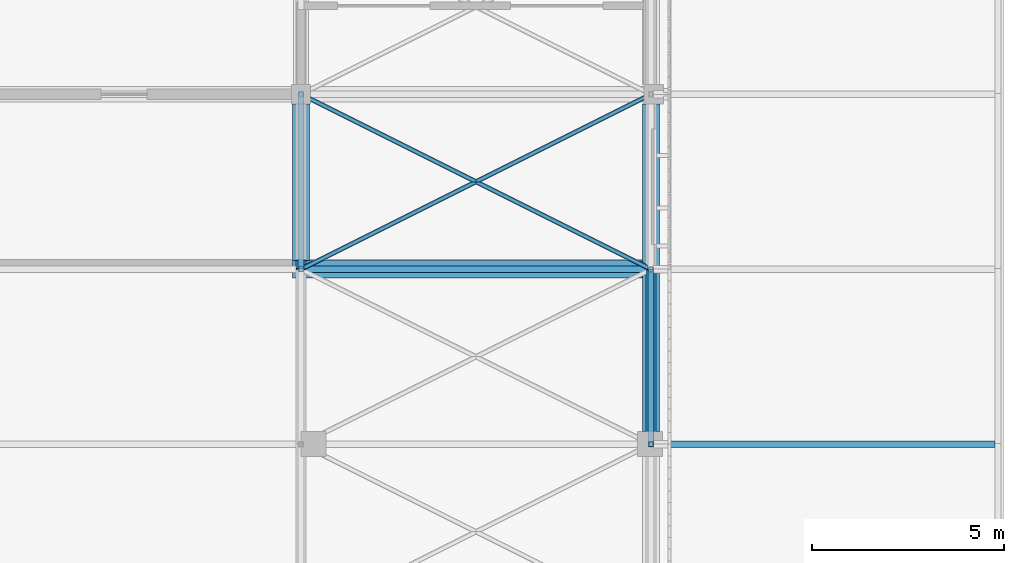
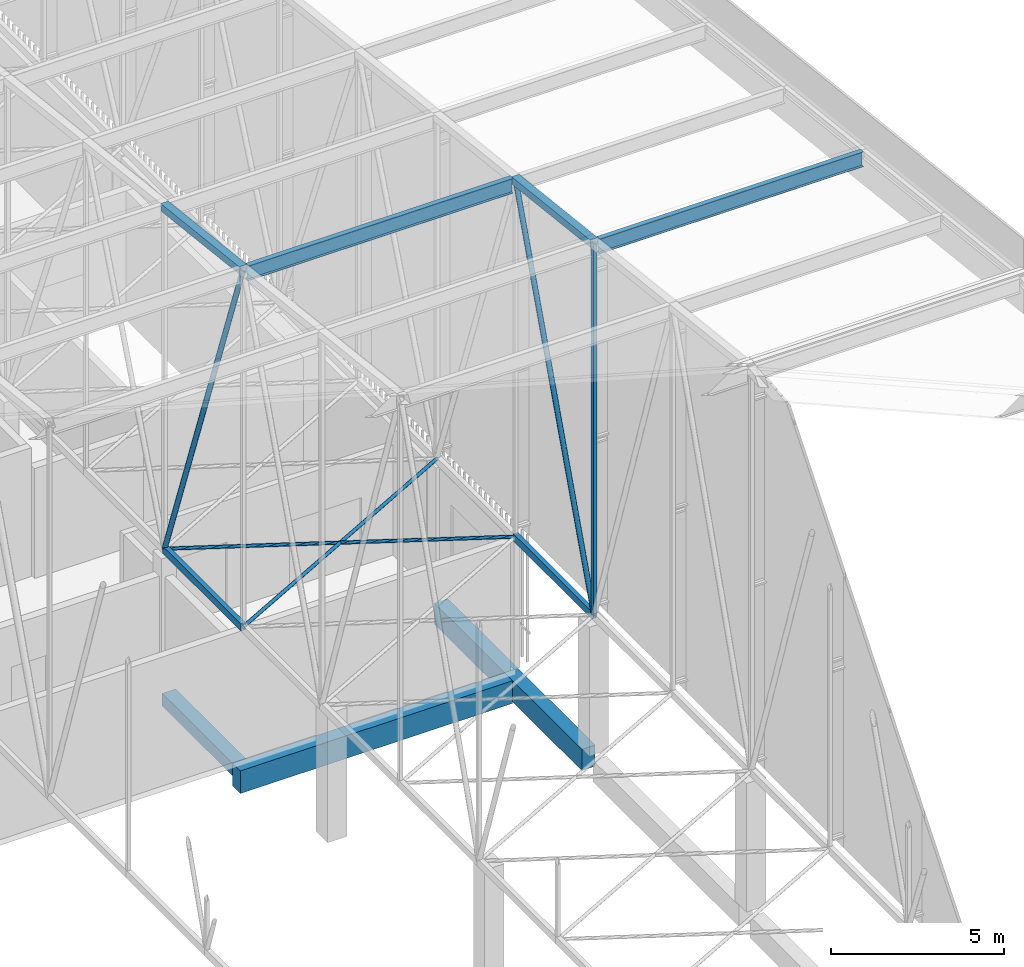
# One storey, part 377 of 500: 11 members, 3 beams.
"""IFC4 building model written with IfcOpenShell, lengths in metres."""

from ifc_helpers import new_model, si_unit, direction, frame, origin, origin_2d, place, context, subcontext, project, spatial, rectangle, hollow_rectangle, hollow_circle, i_section, extrude, material, material_profile, profile_set, type_object, element, save


model = new_model("IFC4")

# Units and contexts
model_context = context("Model", 3, precision=1e-05, world=origin(), true_north=direction((0.0, 1.0)))
body_context = subcontext(model_context, "Body", "Model", "MODEL_VIEW")
ifc_project = project(units=[si_unit("LENGTHUNIT", "METRE"), si_unit("AREAUNIT", "SQUARE_METRE"), si_unit("VOLUMEUNIT", "CUBIC_METRE"), si_unit("PLANEANGLEUNIT", "RADIAN"), si_unit("MASSUNIT", "GRAM", prefix="KILO")], contexts=[model_context])

# Site, building, storey
site_placement = place(None, origin())
site = spatial("IfcSite", under=ifc_project, at=site_placement, CompositionType="ELEMENT")
building_placement = place(site_placement, origin())
building = spatial("IfcBuilding", under=site, at=building_placement, Name="Shirokan Park Arena", CompositionType="ELEMENT")
storey_placement = place(building_placement, frame((0.0, 0.0, 29.1201171875)))
storey = spatial("IfcBuildingStorey", under=building, at=storey_placement, Name="L06", CompositionType="ELEMENT", Elevation=29.1201171875)

# Members
ifc_material_1 = material(Name="Steel ASTM A500 Grade C", Category="steel")
ifc_material_profile_1 = material_profile(ifc_material_1, hollow_rectangle(XDim=0.152099609375, YDim=0.25390625, WallThickness=0.009521484375, at=origin_2d()), Name="HSS254X152.4X9.5")
ifc_profile_set_1 = profile_set([ifc_material_profile_1], Name="Steel ASTM A500 Grade C")
member_type_1 = type_object("IfcMemberType", Name="Bottom chord HSS254X152.4X9.5", PredefinedType="CHORD", material=ifc_profile_set_1)
for number, where, z_axis, x_axis, name in (
    (1, (136.5, 68.25, 4.677001953125), (0.0, 1.0, 0.0), (-1.0, 0.0, 0.0), "Truss T16 bottom chord 18"),
    (2, (145.60009765625, 63.699951171875, 4.677001953125), (0.0, 1.0, 0.0), (-1.0, 0.0, 0.0), "Truss T17 bottom chord 17"),
):
    element("IfcMember", number, at=place(storey_placement, frame(where, z_axis=z_axis, x_axis=x_axis)), inside=storey, type_object=member_type_1, Name=name, PredefinedType="CHORD", context=body_context, shape_type="SweptSolid", body=[
        extrude(hollow_rectangle(XDim=0.152099609375, YDim=0.25390625, WallThickness=0.009521484375, at=origin_2d()), origin(), (0.0, 0.0, 1.0), 4.550048828125),
    ])
ifc_material_profile_2 = material_profile(ifc_material_1, hollow_circle(Radius=0.056884765625, WallThickness=0.006103515625, at=origin_2d()), Name="HSS114.3X6")
ifc_profile_set_2 = profile_set([ifc_material_profile_2], Name="Steel ASTM A500 Grade C")
member_type_2 = type_object("IfcMemberType", Name="Plan bracing HSS114.3X6", PredefinedType="BRACE", material=ifc_profile_set_2)
for number, where, z_axis, x_axis, name in (
    (3, (136.5, 68.25, 4.677001953125), (0.894427191, 0.4472135955, 0.0), (-0.4472135955, 0.894427191, 0.0), "Plan bracing bay 16 panel 18 A"),
    (4, (145.60009765625, 68.25, 4.677001953125), (-0.894427191, 0.4472135955, 0.0), (-0.4472135955, -0.894427191, 0.0), "Plan bracing bay 16 panel 18 B"),
):
    element("IfcMember", number, at=place(storey_placement, frame(where, z_axis=z_axis, x_axis=x_axis)), inside=storey, type_object=member_type_2, Name=name, PredefinedType="BRACE", context=body_context, shape_type="SweptSolid", body=[
        extrude(hollow_circle(Radius=0.056884765625, WallThickness=0.006103515625, at=origin_2d()), origin(), (0.0, 0.0, 1.0), 10.17431640625),
    ])
ifc_material_2 = material(Name="Steel ASTM A992", Category="steel")
ifc_material_profile_3 = material_profile(ifc_material_2, i_section(OverallWidth=0.166015625, OverallDepth=0.528076171875, WebThickness=0.009765625, FlangeThickness=0.013671875, at=origin_2d()), Name="W530X74")
ifc_profile_set_3 = profile_set([ifc_material_profile_3], Name="Steel ASTM A992")
member_type_3 = type_object("IfcMemberType", Name="Purlin W530X74", PredefinedType="PURLIN", material=ifc_profile_set_3)
member_1_placement = place(storey_placement, frame((145.72705078125, 63.699951171875, 17.685791015625), z_axis=(1.0, 0.0, 0.0), x_axis=(0.0, 1.0, 0.0)))
element("IfcMember", 5, at=member_1_placement, inside=storey, type_object=member_type_3, Name="Eave purlin east 17", PredefinedType="PURLIN", context=body_context, shape_type="SweptSolid", body=[
    extrude(i_section(OverallWidth=0.166015625, OverallDepth=0.528076171875, WebThickness=0.009765625, FlangeThickness=0.013671875, at=origin_2d()), origin(), (0.0, 0.0, 1.0), 8.824951171875),
])
member_2_placement = place(storey_placement, frame((136.626953125, 68.25, 17.165771484375), z_axis=(1.0, 0.0, 0.0), x_axis=(0.0, 1.0, 0.0)))
element("IfcMember", 6, at=member_2_placement, inside=storey, type_object=member_type_3, Name="Purlin 18 bay 16", PredefinedType="PURLIN", context=body_context, shape_type="SweptSolid", body=[
    extrude(i_section(OverallWidth=0.166015625, OverallDepth=0.528076171875, WebThickness=0.009765625, FlangeThickness=0.013671875, at=origin_2d()), origin(), (0.0, 0.0, 1.0), 8.845947265625),
])

# Beams
ifc_material_3 = material(Name="Concrete C35", Category="concrete")
ifc_material_profile_4 = material_profile(ifc_material_3, rectangle(XDim=0.449951171875, YDim=0.449951171875, at=origin_2d()), Name="450x450")
ifc_profile_set_4 = profile_set([ifc_material_profile_4], Name="Concrete C35")
beam_type_1 = type_object("IfcBeamType", Name="RC edge beam 450x450", PredefinedType="BEAM", material=ifc_profile_set_4)
beam_1_placement = place(storey_placement, frame((136.5, 72.550048828125, -0.425048828125), z_axis=(0.0, -1.0, 0.0), x_axis=(1.0, 0.0, 0.0)))
element("IfcBeam", 7, at=beam_1_placement, inside=storey, type_object=beam_type_1, Name="Edge beam L06 L06-44 transverse", PredefinedType="BEAM", context=body_context, shape_type="SweptSolid", body=[
    extrude(rectangle(XDim=0.449951171875, YDim=0.449951171875, at=origin_2d()), origin(), (0.0, 0.0, 1.0), 4.074951171875),
])
ifc_material_profile_5 = material_profile(ifc_material_3, rectangle(XDim=0.449951171875, YDim=0.800048828125, at=origin_2d()), Name="450x800")
ifc_profile_set_5 = profile_set([ifc_material_profile_5], Name="Concrete C35")
beam_type_2 = type_object("IfcBeamType", Name="RC edge beam 450x800", PredefinedType="BEAM", material=ifc_profile_set_5)
beam_2_placement = place(storey_placement, frame((145.375, 68.25, -0.60009765625), z_axis=(-1.0, 0.0, 0.0), x_axis=(0.0, -1.0, 0.0)))
element("IfcBeam", 8, at=beam_2_placement, inside=storey, type_object=beam_type_2, Name="Edge beam L06 L06-44", PredefinedType="BEAM", context=body_context, shape_type="SweptSolid", body=[
    extrude(rectangle(XDim=0.449951171875, YDim=0.800048828125, at=origin_2d()), origin(), (0.0, 0.0, 1.0), 9.10009765625),
])
ifc_material_profile_6 = material_profile(ifc_material_3, rectangle(XDim=0.449951171875, YDim=0.75, at=origin_2d()), Name="450x750")
ifc_profile_set_6 = profile_set([ifc_material_profile_6], Name="Concrete C35")
beam_type_3 = type_object("IfcBeamType", Name="RC girder 450x750", PredefinedType="BEAM", material=ifc_profile_set_6)
beam_3_placement = place(storey_placement, frame((145.60009765625, 64.025146484375, -0.5751953125), z_axis=(0.0, 1.0, 0.0), x_axis=(-1.0, 0.0, 0.0)))
element("IfcBeam", 9, at=beam_3_placement, inside=storey, type_object=beam_type_3, Name="Girder 17H-17J L06", PredefinedType="BEAM", context=body_context, shape_type="SweptSolid", body=[
    extrude(rectangle(XDim=0.449951171875, YDim=0.75, at=origin_2d()), origin(), (0.0, 0.0, 1.0), 8.524658203125),
])

# Members
ifc_material_profile_7 = material_profile(ifc_material_1, hollow_rectangle(XDim=0.25390625, YDim=0.25390625, WallThickness=0.009521484375, at=origin_2d()), Name="HSS254X254X9.5")
ifc_profile_set_7 = profile_set([ifc_material_profile_7], Name="Steel ASTM A500 Grade C")
member_type_4 = type_object("IfcMemberType", Name="Top chord HSS254X254X9.5", PredefinedType="CHORD", material=ifc_profile_set_7)
for number, where, z_axis, x_axis, name in (
    (10, (136.5, 68.25, 17.302978515625), (0.0, 0.993532328996, -0.113549598152), (-1.0, 0.0, 0.0), "Truss T16 top chord 18"),
    (11, (145.60009765625, 63.699951171875, 17.822998046875), (0.0, 0.993532328996, -0.113549598152), (-1.0, 0.0, 0.0), "Truss T17 top chord 17"),
):
    element("IfcMember", number, at=place(storey_placement, frame(where, z_axis=z_axis, x_axis=x_axis)), inside=storey, type_object=member_type_4, Name=name, PredefinedType="CHORD", context=body_context, shape_type="SweptSolid", body=[
        extrude(hollow_rectangle(XDim=0.25390625, YDim=0.25390625, WallThickness=0.009521484375, at=origin_2d()), origin(), (0.0, 0.0, 1.0), 4.57958984375),
    ])
ifc_material_profile_8 = material_profile(ifc_material_1, hollow_circle(Radius=0.083984375, WallThickness=0.009521484375, at=origin_2d()), Name="HSS168.3X9.5")
ifc_profile_set_8 = profile_set([ifc_material_profile_8], Name="Steel ASTM A500 Grade C")
member_type_5 = type_object("IfcMemberType", Name="Truss diagonal HSS168.3X9.5", PredefinedType="BRACE", material=ifc_profile_set_8)
for number, where, z_axis, x_axis, name in (
    (12, (136.5, 68.25, 17.302978515625), (0.0, 0.339029292845, -0.940775817394), (-1.0, 0.0, 0.0), "Truss T16 diagonal 18"),
    (13, (145.60009765625, 63.699951171875, 4.677001953125), (0.0, 0.339029292845, 0.940775817394), (-1.0, 0.0, 0.0), "Truss T17 diagonal 17"),
):
    element("IfcMember", number, at=place(storey_placement, frame(where, z_axis=z_axis, x_axis=x_axis)), inside=storey, type_object=member_type_5, Name=name, PredefinedType="BRACE", context=body_context, shape_type="SweptSolid", body=[
        extrude(hollow_circle(Radius=0.083984375, WallThickness=0.009521484375, at=origin_2d()), origin(), (0.0, 0.0, 1.0), 13.4208984375),
    ])
ifc_material_profile_9 = material_profile(ifc_material_1, hollow_rectangle(XDim=0.126953125, YDim=0.126953125, WallThickness=0.0126953125, at=origin_2d()), Name="HSS127X127X12.7")
ifc_profile_set_9 = profile_set([ifc_material_profile_9], Name="Steel ASTM A500 Grade C")
member_type_6 = type_object("IfcMemberType", Name="Truss post HSS127X127X12.7", PredefinedType="POST", material=ifc_profile_set_9)
member_3_placement = place(storey_placement, frame((145.60009765625, 63.699951171875, 4.677001953125), z_axis=(0.0, 0.0, 1.0), x_axis=(1.0, 0.0, 0.0)))
element("IfcMember", 14, at=member_3_placement, inside=storey, type_object=member_type_6, Name="Truss T17 post 17", PredefinedType="POST", context=body_context, shape_type="SweptSolid", body=[
    extrude(hollow_rectangle(XDim=0.126953125, YDim=0.126953125, WallThickness=0.0126953125, at=origin_2d()), origin(), (0.0, 0.0, 1.0), 13.14599609375),
])

save(model, "model.ifc")
